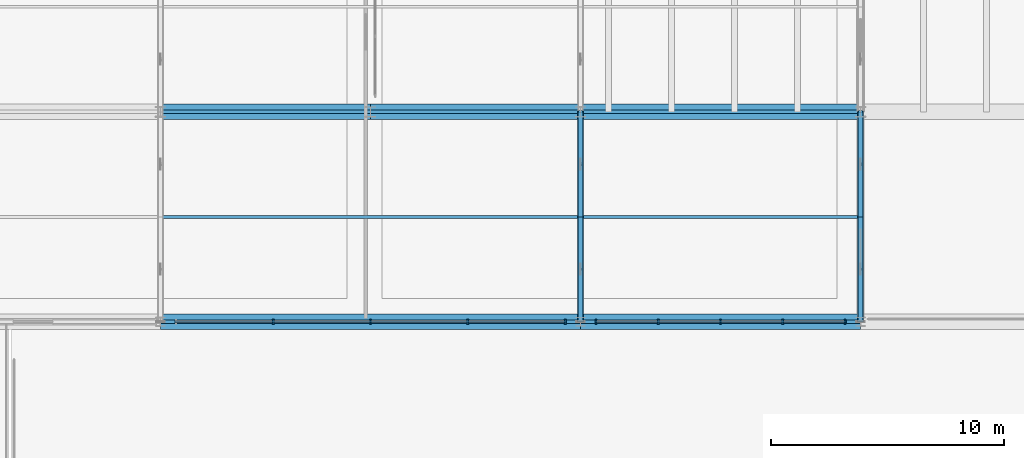
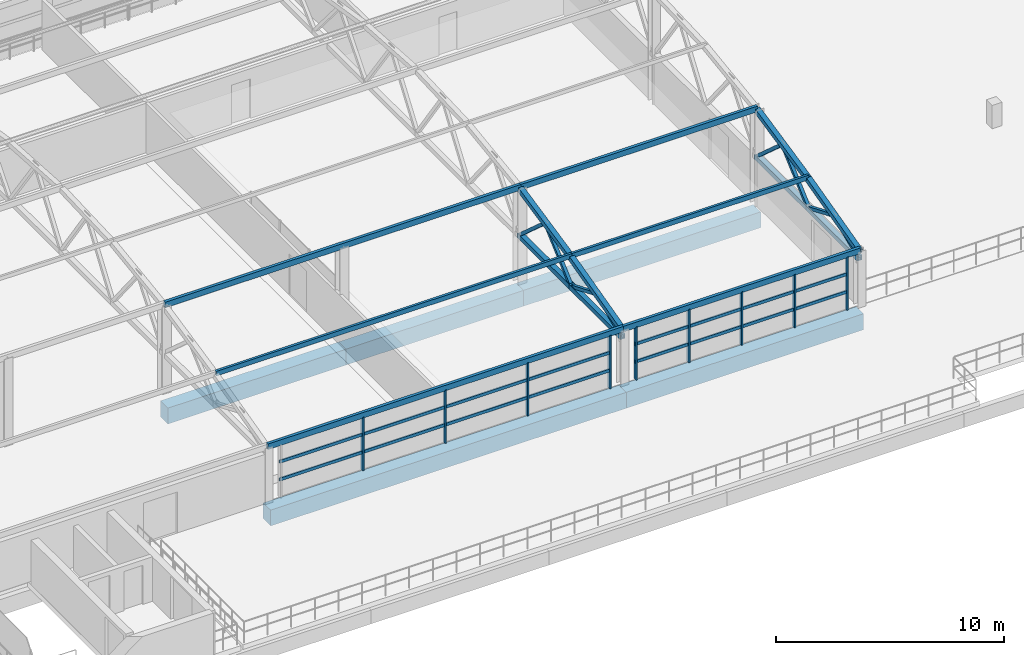
# One storey, part 19 of 50: 35 members, 5 beams, 2 elements without a shape of their own.
"""IFC4 building model written with IfcOpenShell, lengths in metres."""

import ifcopenshell
import ifcopenshell.guid

model = None  # the IFC model being written
_history = None  # IfcOwnerHistory: only IFC2X3 demands one
_inside = {}  # id of a spatial element -> (the spatial element, [elements in it])
_under = {}  # id of a project, library or spatial element -> (it, [spatial elements below it])
_declared = {}  # id of a project -> (the project, [libraries it declares])
_typed = {}  # id of a type object -> (the type object, [elements of that type])
_made_of = {}  # id of a material, layer set ... -> (it, [elements and type objects made of it])


def new_model(schema):
    """Start an empty IFC model of exactly this schema.

    Asked for "IFC4X3", IfcOpenShell would pick the latest addendum, in which some entities
    have other attributes; the version numbers below select the first issue.
    IFC2X3 requires an IfcOwnerHistory on every rooted entity: one is made here for all.
    """
    global model, _history
    if schema == "IFC4X3":
        model = ifcopenshell.file(schema_version=(4, 3, 0, 0))
    else:
        model = ifcopenshell.file(schema=schema)
    _inside.clear()
    _under.clear()
    _declared.clear()
    _typed.clear()
    _made_of.clear()
    _history = None
    if model.schema == "IFC2X3":
        org = make("IfcOrganization", Name="unknown")
        user = make(
            "IfcPersonAndOrganization",
            ThePerson=make("IfcPerson", FamilyName="unknown"),
            TheOrganization=org,
        )
        app = make(
            "IfcApplication",
            ApplicationDeveloper=org,
            Version="unknown",
            ApplicationFullName="unknown",
            ApplicationIdentifier="unknown",
        )
        _history = make(
            "IfcOwnerHistory",
            OwningUser=user,
            OwningApplication=app,
            ChangeAction="ADDED",
            CreationDate=0,
        )
    return model


def make(cls, **values):
    """One entity of the class cls with the attributes given. An attribute that is None is left unset."""
    return model.create_entity(
        cls, **{name: value for name, value in values.items() if value is not None}
    )


def rooted(cls, **values):
    """An entity with a GlobalId (a new one), such as an element, a storey or a relation."""
    return make(cls, GlobalId=ifcopenshell.guid.new(), OwnerHistory=_history, **values)


def si_unit(unit_type, name, prefix=None):
    """IfcSIUnit, for example si_unit("LENGTHUNIT", "METRE", prefix="MILLI")."""
    return make("IfcSIUnit", UnitType=unit_type, Prefix=prefix, Name=name)


def derived_unit(unit_type, elements):
    """IfcDerivedUnit: a product of units, each with its exponent."""
    return make(
        "IfcDerivedUnit",
        Elements=[
            make("IfcDerivedUnitElement", Unit=unit, Exponent=power)
            for unit, power in elements
        ],
        UnitType=unit_type,
    )


def assignment(units):
    """IfcUnitAssignment: the units of a project."""
    return None if units is None else make("IfcUnitAssignment", Units=units)


def point(xyz):
    """IfcCartesianPoint."""
    return None if xyz is None else make("IfcCartesianPoint", Coordinates=xyz)


def direction(xyz):
    """IfcDirection."""
    return None if xyz is None else make("IfcDirection", DirectionRatios=xyz)


def frame(location, z_axis=None, x_axis=None):
    """IfcAxis2Placement3D, a coordinate frame: its origin and axes. An axis left out is left unset."""
    return make(
        "IfcAxis2Placement3D",
        Location=point(location),
        Axis=direction(z_axis),
        RefDirection=direction(x_axis),
    )


def frame_2d(location, x_axis=None):
    """IfcAxis2Placement2D, a coordinate frame in the plane: its origin and x axis."""
    return make(
        "IfcAxis2Placement2D", Location=point(location), RefDirection=direction(x_axis)
    )


def origin():
    """The frame at (0, 0, 0) with its axes left unset."""
    return frame((0.0, 0.0, 0.0))


def origin_2d():
    """The frame at (0, 0) in the plane with its x axis left unset."""
    return frame_2d((0.0, 0.0))


def place(relative_to, where):
    """IfcLocalPlacement: puts the frame where relative to a parent placement (None: the world)."""
    return make(
        "IfcLocalPlacement", PlacementRelTo=relative_to, RelativePlacement=where
    )


def context(
    kind, dimensions, precision=None, world=None, true_north=None, identifier=None
):
    """IfcGeometricRepresentationContext, for example the 3D "Model" context."""
    return make(
        "IfcGeometricRepresentationContext",
        ContextIdentifier=identifier,
        ContextType=kind,
        CoordinateSpaceDimension=dimensions,
        Precision=precision,
        WorldCoordinateSystem=world,
        TrueNorth=true_north,
    )


def subcontext(parent, identifier, kind, view, scale=None):
    """IfcGeometricRepresentationSubContext, for example "Body" below "Model"."""
    return make(
        "IfcGeometricRepresentationSubContext",
        ContextIdentifier=identifier,
        ContextType=kind,
        ParentContext=parent,
        TargetScale=scale,
        TargetView=view,
    )


def project(units=None, contexts=None):
    """IfcProject with its units and contexts."""
    return rooted(
        "IfcProject",
        Name="project",
        RepresentationContexts=contexts,
        UnitsInContext=assignment(units),
    )


def spatial(cls, under=None, at=None, **own):
    """A site, building, storey or space (cls), placed at a placement, below another one or the project."""
    s = rooted(cls, ObjectPlacement=at, **own)
    if under is not None:
        _under.setdefault(under.id(), (under, []))[1].append(s)
    return s


def profile(cls, at=None, kind="AREA", **sizes):
    """A parametric profile (cls). Its sizes go by their IFC names, for example OverallWidth=200.0."""
    return make(cls, ProfileType=kind, Position=at, **sizes)


def rectangle(**sizes):
    """IfcRectangleProfileDef."""
    return profile("IfcRectangleProfileDef", **sizes)


def hollow_rectangle(**sizes):
    """IfcRectangleHollowProfileDef."""
    return profile("IfcRectangleHollowProfileDef", **sizes)


def extrude(swept, where, along, depth):
    """IfcExtrudedAreaSolid: the profile swept, set in the frame where, extruded along a direction by depth."""
    return make(
        "IfcExtrudedAreaSolid",
        SweptArea=swept,
        Position=where,
        ExtrudedDirection=direction(along),
        Depth=depth,
    )


def shape(context_of_items, identifier, shape_type, items):
    """IfcShapeRepresentation: the items that make up one representation, for example the "Body"."""
    return make(
        "IfcShapeRepresentation",
        ContextOfItems=context_of_items,
        RepresentationIdentifier=identifier,
        RepresentationType=shape_type,
        Items=items,
    )


def material(Name=None, Category=None):
    """IfcMaterial."""
    return make("IfcMaterial", Name=Name, Category=Category)


def layer(
    of_material, thickness, ventilated=None, Name=None, Category=None, Priority=None
):
    """IfcMaterialLayer: one layer of a wall or slab, of a material (None: an air gap)."""
    return make(
        "IfcMaterialLayer",
        Material=of_material,
        LayerThickness=thickness,
        IsVentilated=ventilated,
        Name=Name,
        Category=Category,
        Priority=Priority,
    )


def layer_set(layers, Name=None):
    """IfcMaterialLayerSet."""
    return make("IfcMaterialLayerSet", MaterialLayers=layers, LayerSetName=Name)


def material_profile(
    of_material, cross_section, Name=None, Category=None, Priority=None
):
    """IfcMaterialProfile: a cross section and its material."""
    return make(
        "IfcMaterialProfile",
        Name=Name,
        Material=of_material,
        Profile=cross_section,
        Priority=Priority,
        Category=Category,
    )


def profile_set(profiles, Name=None, composite=None):
    """IfcMaterialProfileSet."""
    return make(
        "IfcMaterialProfileSet",
        Name=Name,
        MaterialProfiles=profiles,
        CompositeProfile=composite,
    )


def made_of(thing, what):
    """Note that an element or type object is made of a material, layer set ...; save() writes the relation."""
    if what is not None:
        _made_of.setdefault(what.id(), (what, []))[1].append(thing)
    return thing


def type_object(cls, material=None, **own):
    """A type object (cls), such as IfcWallType, which elements share."""
    return made_of(rooted(cls, **own), material)


def element(
    cls,
    number,
    at=None,
    inside=None,
    cuts=None,
    type_object=None,
    material=None,
    context=None,
    identifier="Body",
    shape_type=None,
    held_by="IfcProductDefinitionShape",
    body=None,
    shapes=None,
    **own,
):
    """One element of the class cls, such as IfcWall. Its Tag is "e" and its number.

    at: its placement. inside: the storey or other place that contains it. cuts: it is an
    opening in that element (IfcRelVoidsElement). A single representation is given by context,
    identifier, shape_type and body (its items); several are given by shapes. held_by: the class
    of the entity that holds the representations. save() writes the other relations.
    """
    e = rooted(cls, Tag="e%d" % number, ObjectPlacement=at, **own)
    if body is not None:
        shapes = [shape(context, identifier, shape_type, body)]
    if shapes is not None:
        e.Representation = make(held_by, Representations=shapes)
    if inside is not None:
        _inside.setdefault(inside.id(), (inside, []))[1].append(e)
    if cuts is not None:
        rooted(
            "IfcRelVoidsElement", RelatingBuildingElement=cuts, RelatedOpeningElement=e
        )
    if type_object is not None:
        _typed.setdefault(type_object.id(), (type_object, []))[1].append(e)
    return made_of(e, material)


def aggregate(whole, parts):
    """IfcRelAggregates: a whole, such as a stair, and the parts it consists of."""
    return rooted("IfcRelAggregates", RelatingObject=whole, RelatedObjects=parts)


def save(model, path):
    """Write the relations noted so far, then the file.

    IfcRelAggregates (storeys below a building ...), IfcRelContainedInSpatialStructure (elements
    in a storey), IfcRelDefinesByType, IfcRelAssociatesMaterial and IfcRelDeclares: one each for
    every whole, place, type object, material and project.
    """
    for whole, parts in _under.values():
        aggregate(whole, parts)
    for where, things in _inside.values():
        rooted(
            "IfcRelContainedInSpatialStructure",
            RelatedElements=things,
            RelatingStructure=where,
        )
    for kind, things in _typed.values():
        rooted("IfcRelDefinesByType", RelatedObjects=things, RelatingType=kind)
    for what, things in _made_of.values():
        rooted("IfcRelAssociatesMaterial", RelatedObjects=things, RelatingMaterial=what)
    for by, libraries in _declared.values():
        rooted("IfcRelDeclares", RelatingContext=by, RelatedDefinitions=libraries)
    model.write(path)


model = new_model("IFC4")

# Units and contexts
model_context = context("Model", 3, precision=1e-05, world=origin(), true_north=direction((0.0, 1.0)))
body_context = subcontext(model_context, "Body", "Model", "MODEL_VIEW")
ifc_project = project(units=[si_unit("LENGTHUNIT", "METRE"), si_unit("AREAUNIT", "SQUARE_METRE"), si_unit("VOLUMEUNIT", "CUBIC_METRE"), si_unit("PLANEANGLEUNIT", "RADIAN"), si_unit("MASSUNIT", "GRAM", prefix="KILO"), si_unit("THERMODYNAMICTEMPERATUREUNIT", "KELVIN"), derived_unit("THERMALTRANSMITTANCEUNIT", [(si_unit("POWERUNIT", "WATT"), 1), (si_unit("AREAUNIT", "SQUARE_METRE"), -1), (si_unit("THERMODYNAMICTEMPERATUREUNIT", "KELVIN"), -1)])], contexts=[model_context])

# Site, building, storey
site_placement = place(None, origin())
site = spatial("IfcSite", under=ifc_project, at=site_placement, CompositionType="ELEMENT")
building_placement = place(site_placement, origin())
building = spatial("IfcBuilding", under=site, at=building_placement, Name="Haiyu Intermodal Mobility Hub", CompositionType="ELEMENT")
storey_placement = place(building_placement, frame((0.0, 0.0, 25.10009765625)))
storey = spatial("IfcBuildingStorey", under=building, at=storey_placement, Name="L06", CompositionType="ELEMENT", Elevation=25.10009765625)

# Beams
ifc_material_1 = material(Name="Precast concrete C50", Category="concrete")
ifc_material_profile_1 = material_profile(ifc_material_1, rectangle(XDim=0.64990234375, YDim=0.85009765625, at=origin_2d()), Name="PC650x850")
ifc_profile_set_1 = profile_set([ifc_material_profile_1], Name="Precast concrete C50")
beam_type = type_object("IfcBeamType", Name="BM-IT03", PredefinedType="T_BEAM", material=ifc_profile_set_1)
beam_1_placement = place(storey_placement, frame((78.0, 113.0, -0.705078125), z_axis=(1.0, 0.0, 0.0), x_axis=(0.0, 1.0, 0.0)))
element("IfcBeam", 1, at=beam_1_placement, inside=storey, type_object=beam_type, Name="BM-V4G-L06-016", PredefinedType="T_BEAM", context=body_context, shape_type="SweptSolid", body=[
    extrude(rectangle(XDim=0.64990234375, YDim=0.85009765625, at=origin_2d()), origin(), (0.0, 0.0, 1.0), 18.0),
])
beam_2_placement = place(storey_placement, frame((96.0, 113.0, -0.705078125), z_axis=(1.0, 0.0, 0.0), x_axis=(0.0, 1.0, 0.0)))
element("IfcBeam", 2, at=beam_2_placement, inside=storey, type_object=beam_type, Name="BM-V4G-L06-017", PredefinedType="T_BEAM", context=body_context, shape_type="SweptSolid", body=[
    extrude(rectangle(XDim=0.64990234375, YDim=0.85009765625, at=origin_2d()), origin(), (0.0, 0.0, 1.0), 12.0),
])
for number, where, z_axis, x_axis, name in (
    (3, (78.0, 122.0, -0.705078125), (1.0, 0.0, 0.0), (0.0, 1.0, 0.0), "BM-V4G-L06-026"),
    (4, (87.0, 122.0, -0.705078125), (1.0, 0.0, 0.0), (0.0, 1.0, 0.0), "BM-V4G-L06-027"),
):
    element("IfcBeam", number, at=place(storey_placement, frame(where, z_axis=z_axis, x_axis=x_axis)), inside=storey, type_object=beam_type, Name=name, PredefinedType="T_BEAM", context=body_context, shape_type="SweptSolid", body=[
        extrude(rectangle(XDim=0.64990234375, YDim=0.85009765625, at=origin_2d()), origin(), (0.0, 0.0, 1.0), 9.0),
    ])
beam_3_placement = place(storey_placement, frame((96.0, 122.0, -0.705078125), z_axis=(1.0, 0.0, 0.0), x_axis=(0.0, 1.0, 0.0)))
element("IfcBeam", 5, at=beam_3_placement, inside=storey, type_object=beam_type, Name="BM-V4G-L06-028", PredefinedType="T_BEAM", context=body_context, shape_type="SweptSolid", body=[
    extrude(rectangle(XDim=0.64990234375, YDim=0.85009765625, at=origin_2d()), origin(), (0.0, 0.0, 1.0), 12.0),
])

# Curtain wall, members
ifc_material_2 = material(Name="Low-e laminated insulating glass", Category="glass")
ifc_layer = layer(ifc_material_2, 0.22998046875)
ifc_layer_set = layer_set([ifc_layer], Name="Low-e laminated insulating glass")
curtain_wall_type = type_object("IfcCurtainWallType", Name="CW-CW05", PredefinedType="NOTDEFINED", material=ifc_layer_set)
curtain_wall_1_placement = place(storey_placement, origin())
curtain_wall_1 = element("IfcCurtainWall", 6, at=curtain_wall_1_placement, inside=storey, type_object=curtain_wall_type, Name="Curtain Wall CW-V3S-160", PredefinedType="NOTDEFINED")
ifc_material_3 = material(Name="Anodised aluminium 6063-T6", Category="aluminium")
ifc_material_profile_2 = material_profile(ifc_material_3, rectangle(XDim=0.074951171875, YDim=0.199951171875, at=origin_2d()), Name="ALU75x200")
ifc_profile_set_2 = profile_set([ifc_material_profile_2], Name="Anodised aluminium 6063-T6")
member_type_1 = type_object("IfcMemberType", Name="CWM-ML01", PredefinedType="MULLION", material=ifc_profile_set_2)
member_1_placement = place(storey_placement, frame((82.830078125, 113.0, 0.0), z_axis=(0.0, 0.0, 1.0), x_axis=(1.0, 0.0, 0.0)))
member_1 = element("IfcMember", 7, at=member_1_placement, type_object=member_type_1, Name="CW-V3S-160-ML02", PredefinedType="MULLION", context=body_context, shape_type="SweptSolid", body=[
    extrude(rectangle(XDim=0.074951171875, YDim=0.199951171875, at=origin_2d()), origin(), (0.0, 0.0, 1.0), 2.849853515625),
])
member_2_placement = place(storey_placement, frame((87.0, 113.0, 0.0), z_axis=(0.0, 0.0, 1.0), x_axis=(1.0, 0.0, 0.0)))
member_2 = element("IfcMember", 8, at=member_2_placement, type_object=member_type_1, Name="CW-V3S-160-ML03", PredefinedType="MULLION", context=body_context, shape_type="SweptSolid", body=[
    extrude(rectangle(XDim=0.074951171875, YDim=0.199951171875, at=origin_2d()), origin(), (0.0, 0.0, 1.0), 2.849853515625),
])
member_3_placement = place(storey_placement, frame((91.169921875, 113.0, 0.0), z_axis=(0.0, 0.0, 1.0), x_axis=(1.0, 0.0, 0.0)))
member_3 = element("IfcMember", 9, at=member_3_placement, type_object=member_type_1, Name="CW-V3S-160-ML04", PredefinedType="MULLION", context=body_context, shape_type="SweptSolid", body=[
    extrude(rectangle(XDim=0.074951171875, YDim=0.199951171875, at=origin_2d()), origin(), (0.0, 0.0, 1.0), 2.849853515625),
])
member_4_placement = place(storey_placement, frame((95.340087890625, 113.0, 0.0), z_axis=(0.0, 0.0, 1.0), x_axis=(1.0, 0.0, 0.0)))
member_4 = element("IfcMember", 10, at=member_4_placement, type_object=member_type_1, Name="CW-V3S-160-ML05", PredefinedType="MULLION", context=body_context, shape_type="SweptSolid", body=[
    extrude(rectangle(XDim=0.074951171875, YDim=0.199951171875, at=origin_2d()), origin(), (0.0, 0.0, 1.0), 2.849853515625),
])

curtain_wall_2_placement = place(storey_placement, origin())
curtain_wall_2 = element("IfcCurtainWall", 11, at=curtain_wall_2_placement, inside=storey, type_object=curtain_wall_type, Name="Curtain Wall CW-V3S-162", PredefinedType="NOTDEFINED")
member_5_placement = place(storey_placement, frame((96.659912109375, 113.0, 0.0), z_axis=(0.0, 0.0, 1.0), x_axis=(1.0, 0.0, 0.0)))
member_5 = element("IfcMember", 12, at=member_5_placement, type_object=member_type_1, Name="CW-V3S-162-ML01", PredefinedType="MULLION", context=body_context, shape_type="SweptSolid", body=[
    extrude(rectangle(XDim=0.074951171875, YDim=0.199951171875, at=origin_2d()), origin(), (0.0, 0.0, 1.0), 2.849853515625),
])
member_6_placement = place(storey_placement, frame((99.330078125, 113.0, 0.0), z_axis=(0.0, 0.0, 1.0), x_axis=(1.0, 0.0, 0.0)))
member_6 = element("IfcMember", 13, at=member_6_placement, type_object=member_type_1, Name="CW-V3S-162-ML02", PredefinedType="MULLION", context=body_context, shape_type="SweptSolid", body=[
    extrude(rectangle(XDim=0.074951171875, YDim=0.199951171875, at=origin_2d()), origin(), (0.0, 0.0, 1.0), 2.849853515625),
])
member_7_placement = place(storey_placement, frame((102.0, 113.0, 0.0), z_axis=(0.0, 0.0, 1.0), x_axis=(1.0, 0.0, 0.0)))
member_7 = element("IfcMember", 14, at=member_7_placement, type_object=member_type_1, Name="CW-V3S-162-ML03", PredefinedType="MULLION", context=body_context, shape_type="SweptSolid", body=[
    extrude(rectangle(XDim=0.074951171875, YDim=0.199951171875, at=origin_2d()), origin(), (0.0, 0.0, 1.0), 2.849853515625),
])
member_8_placement = place(storey_placement, frame((104.669921875, 113.0, 0.0), z_axis=(0.0, 0.0, 1.0), x_axis=(1.0, 0.0, 0.0)))
member_8 = element("IfcMember", 15, at=member_8_placement, type_object=member_type_1, Name="CW-V3S-162-ML04", PredefinedType="MULLION", context=body_context, shape_type="SweptSolid", body=[
    extrude(rectangle(XDim=0.074951171875, YDim=0.199951171875, at=origin_2d()), origin(), (0.0, 0.0, 1.0), 2.849853515625),
])
member_9_placement = place(storey_placement, frame((107.340087890625, 113.0, 0.0), z_axis=(0.0, 0.0, 1.0), x_axis=(1.0, 0.0, 0.0)))
member_9 = element("IfcMember", 16, at=member_9_placement, type_object=member_type_1, Name="CW-V3S-162-ML05", PredefinedType="MULLION", context=body_context, shape_type="SweptSolid", body=[
    extrude(rectangle(XDim=0.074951171875, YDim=0.199951171875, at=origin_2d()), origin(), (0.0, 0.0, 1.0), 2.849853515625),
])

# Member
ifc_material_profile_3 = material_profile(ifc_material_3, rectangle(XDim=0.074951171875, YDim=0.159912109375, at=origin_2d()), Name="ALU75x160")
ifc_profile_set_3 = profile_set([ifc_material_profile_3], Name="Anodised aluminium 6063-T6")
member_type_2 = type_object("IfcMemberType", Name="CWM-TR01", PredefinedType="USERDEFINED", material=ifc_profile_set_3)
member_10_placement = place(storey_placement, frame((78.6201171875, 113.0, 0.949951171875), z_axis=(1.0, 0.0, 0.0), x_axis=(0.0, 1.0, 0.0)))
member_10 = element("IfcMember", 17, at=member_10_placement, type_object=member_type_2, Name="CW-V3S-160-TR01", ObjectType="TRANSOM", PredefinedType="USERDEFINED", context=body_context, shape_type="SweptSolid", body=[
    extrude(rectangle(XDim=0.074951171875, YDim=0.159912109375, at=origin_2d()), origin(), (0.0, 0.0, 1.0), 16.759765625),
])

member_11_placement = place(storey_placement, frame((78.6201171875, 113.0, 1.89990234375), z_axis=(1.0, 0.0, 0.0), x_axis=(0.0, 1.0, 0.0)))
member_11 = element("IfcMember", 18, at=member_11_placement, type_object=member_type_2, Name="CW-V3S-160-TR02", ObjectType="TRANSOM", PredefinedType="USERDEFINED", context=body_context, shape_type="SweptSolid", body=[
    extrude(rectangle(XDim=0.074951171875, YDim=0.159912109375, at=origin_2d()), origin(), (0.0, 0.0, 1.0), 16.759765625),
])

aggregate(curtain_wall_1, [member_1, member_2, member_3, member_4, member_10, member_11])

member_12_placement = place(storey_placement, frame((96.6201171875, 113.0, 0.949951171875), z_axis=(1.0, 0.0, 0.0), x_axis=(0.0, 1.0, 0.0)))
member_12 = element("IfcMember", 19, at=member_12_placement, type_object=member_type_2, Name="CW-V3S-162-TR01", ObjectType="TRANSOM", PredefinedType="USERDEFINED", context=body_context, shape_type="SweptSolid", body=[
    extrude(rectangle(XDim=0.074951171875, YDim=0.159912109375, at=origin_2d()), origin(), (0.0, 0.0, 1.0), 10.759765625),
])

member_13_placement = place(storey_placement, frame((96.6201171875, 113.0, 1.89990234375), z_axis=(1.0, 0.0, 0.0), x_axis=(0.0, 1.0, 0.0)))
member_13 = element("IfcMember", 20, at=member_13_placement, type_object=member_type_2, Name="CW-V3S-162-TR02", ObjectType="TRANSOM", PredefinedType="USERDEFINED", context=body_context, shape_type="SweptSolid", body=[
    extrude(rectangle(XDim=0.074951171875, YDim=0.159912109375, at=origin_2d()), origin(), (0.0, 0.0, 1.0), 10.759765625),
])

aggregate(curtain_wall_2, [member_5, member_6, member_7, member_8, member_9, member_12, member_13])

# Members
ifc_material_4 = material(Name="Steel Q355C", Category="steel")
ifc_material_profile_4 = material_profile(ifc_material_4, hollow_rectangle(XDim=0.25, YDim=0.25, WallThickness=0.010009765625, at=origin_2d()), Name="SHS250x250x10")
ifc_profile_set_4 = profile_set([ifc_material_profile_4], Name="Steel Q355C")
member_type_3 = type_object("IfcMemberType", Name="MEM-CH01", PredefinedType="CHORD", material=ifc_profile_set_4)
member_14_placement = place(storey_placement, frame((96.0, 113.0, 2.85986328125), z_axis=(0.0, 0.968399815357, 0.249402882134), x_axis=(-1.0, 0.0, 0.0)))
element("IfcMember", 21, at=member_14_placement, inside=storey, type_object=member_type_3, Name="MEM-PAV-TC-033", PredefinedType="CHORD", context=body_context, shape_type="SweptSolid", body=[
    extrude(hollow_rectangle(XDim=0.25, YDim=0.25, WallThickness=0.010009765625, at=origin_2d()), origin(), (0.0, 0.0, 1.0), 4.646728515625),
])
member_15_placement = place(storey_placement, frame((96.0, 113.0, 2.5), z_axis=(0.0, 1.0, 0.0), x_axis=(-1.0, 0.0, 0.0)))
element("IfcMember", 22, at=member_15_placement, inside=storey, type_object=member_type_3, Name="MEM-PAV-BC-033", PredefinedType="CHORD", context=body_context, shape_type="SweptSolid", body=[
    extrude(hollow_rectangle(XDim=0.25, YDim=0.25, WallThickness=0.010009765625, at=origin_2d()), origin(), (0.0, 0.0, 1.0), 4.5),
])
member_16_placement = place(storey_placement, frame((96.0, 117.5, 4.018798828125), z_axis=(0.0, 0.97740646782, 0.211368390882), x_axis=(-1.0, 0.0, 0.0)))
element("IfcMember", 23, at=member_16_placement, inside=storey, type_object=member_type_3, Name="MEM-PAV-TC-034", PredefinedType="CHORD", context=body_context, shape_type="SweptSolid", body=[
    extrude(hollow_rectangle(XDim=0.25, YDim=0.25, WallThickness=0.010009765625, at=origin_2d()), origin(), (0.0, 0.0, 1.0), 4.60400390625),
])
member_17_placement = place(storey_placement, frame((96.0, 117.5, 2.5), z_axis=(0.0, 1.0, 0.0), x_axis=(-1.0, 0.0, 0.0)))
element("IfcMember", 24, at=member_17_placement, inside=storey, type_object=member_type_3, Name="MEM-PAV-BC-034", PredefinedType="CHORD", context=body_context, shape_type="SweptSolid", body=[
    extrude(hollow_rectangle(XDim=0.25, YDim=0.25, WallThickness=0.010009765625, at=origin_2d()), origin(), (0.0, 0.0, 1.0), 4.5),
])
member_18_placement = place(storey_placement, frame((108.0, 113.0, 2.85986328125), z_axis=(0.0, 0.968399815357, 0.249402882134), x_axis=(-1.0, 0.0, 0.0)))
element("IfcMember", 25, at=member_18_placement, inside=storey, type_object=member_type_3, Name="MEM-PAV-TC-041", PredefinedType="CHORD", context=body_context, shape_type="SweptSolid", body=[
    extrude(hollow_rectangle(XDim=0.25, YDim=0.25, WallThickness=0.010009765625, at=origin_2d()), origin(), (0.0, 0.0, 1.0), 4.646728515625),
])
member_19_placement = place(storey_placement, frame((108.0, 113.0, 2.5), z_axis=(0.0, 1.0, 0.0), x_axis=(-1.0, 0.0, 0.0)))
element("IfcMember", 26, at=member_19_placement, inside=storey, type_object=member_type_3, Name="MEM-PAV-BC-041", PredefinedType="CHORD", context=body_context, shape_type="SweptSolid", body=[
    extrude(hollow_rectangle(XDim=0.25, YDim=0.25, WallThickness=0.010009765625, at=origin_2d()), origin(), (0.0, 0.0, 1.0), 4.5),
])
member_20_placement = place(storey_placement, frame((108.0, 117.5, 4.018798828125), z_axis=(0.0, 0.97740646782, 0.211368390882), x_axis=(-1.0, 0.0, 0.0)))
element("IfcMember", 27, at=member_20_placement, inside=storey, type_object=member_type_3, Name="MEM-PAV-TC-042", PredefinedType="CHORD", context=body_context, shape_type="SweptSolid", body=[
    extrude(hollow_rectangle(XDim=0.25, YDim=0.25, WallThickness=0.010009765625, at=origin_2d()), origin(), (0.0, 0.0, 1.0), 4.60400390625),
])
member_21_placement = place(storey_placement, frame((108.0, 117.5, 2.5), z_axis=(0.0, 1.0, 0.0), x_axis=(-1.0, 0.0, 0.0)))
element("IfcMember", 28, at=member_21_placement, inside=storey, type_object=member_type_3, Name="MEM-PAV-BC-042", PredefinedType="CHORD", context=body_context, shape_type="SweptSolid", body=[
    extrude(hollow_rectangle(XDim=0.25, YDim=0.25, WallThickness=0.010009765625, at=origin_2d()), origin(), (0.0, 0.0, 1.0), 4.5),
])
ifc_material_profile_5 = material_profile(ifc_material_4, hollow_rectangle(XDim=0.159912109375, YDim=0.159912109375, WallThickness=0.006103515625, at=origin_2d()), Name="SHS160x160x6")
ifc_profile_set_5 = profile_set([ifc_material_profile_5], Name="Steel Q355C")
member_type_4 = type_object("IfcMemberType", Name="MEM-CH03", PredefinedType="CHORD", material=ifc_profile_set_5)
for number, where, z_axis, x_axis, name in (
    (29, (96.0, 113.0, 2.5), (0.0, 0.922721067399, 0.385468327852), (-1.0, 0.0, 0.0), "MEM-PAV-D1-033"),
    (30, (96.0, 115.25, 3.43994140625), (0.0, 0.922721067399, -0.385468327852), (-1.0, 0.0, 0.0), "MEM-PAV-D2-033"),
):
    element("IfcMember", number, at=place(storey_placement, frame(where, z_axis=z_axis, x_axis=x_axis)), inside=storey, type_object=member_type_4, Name=name, PredefinedType="CHORD", context=body_context, shape_type="SweptSolid", body=[
        extrude(hollow_rectangle(XDim=0.159912109375, YDim=0.159912109375, WallThickness=0.006103515625, at=origin_2d()), origin(), (0.0, 0.0, 1.0), 2.4384765625),
    ])
for number, where, z_axis, x_axis, name in (
    (31, (96.0, 117.5, 2.5), (0.0, 0.746443301458, 0.665449019616), (-1.0, 0.0, 0.0), "MEM-PAV-D1-034"),
    (32, (96.0, 119.75, 4.505859375), (0.0, 0.746443301458, -0.665449019616), (-1.0, 0.0, 0.0), "MEM-PAV-D2-034"),
):
    element("IfcMember", number, at=place(storey_placement, frame(where, z_axis=z_axis, x_axis=x_axis)), inside=storey, type_object=member_type_4, Name=name, PredefinedType="CHORD", context=body_context, shape_type="SweptSolid", body=[
        extrude(hollow_rectangle(XDim=0.159912109375, YDim=0.159912109375, WallThickness=0.006103515625, at=origin_2d()), origin(), (0.0, 0.0, 1.0), 3.014404296875),
    ])
for number, where, z_axis, x_axis, name in (
    (33, (108.0, 113.0, 2.5), (0.0, 0.922721067399, 0.385468327852), (-1.0, 0.0, 0.0), "MEM-PAV-D1-041"),
    (34, (108.0, 115.25, 3.43994140625), (0.0, 0.922721067399, -0.385468327852), (-1.0, 0.0, 0.0), "MEM-PAV-D2-041"),
):
    element("IfcMember", number, at=place(storey_placement, frame(where, z_axis=z_axis, x_axis=x_axis)), inside=storey, type_object=member_type_4, Name=name, PredefinedType="CHORD", context=body_context, shape_type="SweptSolid", body=[
        extrude(hollow_rectangle(XDim=0.159912109375, YDim=0.159912109375, WallThickness=0.006103515625, at=origin_2d()), origin(), (0.0, 0.0, 1.0), 2.4384765625),
    ])
for number, where, z_axis, x_axis, name in (
    (35, (108.0, 117.5, 2.5), (0.0, 0.746443301458, 0.665449019616), (-1.0, 0.0, 0.0), "MEM-PAV-D1-042"),
    (36, (108.0, 119.75, 4.505859375), (0.0, 0.746443301458, -0.665449019616), (-1.0, 0.0, 0.0), "MEM-PAV-D2-042"),
):
    element("IfcMember", number, at=place(storey_placement, frame(where, z_axis=z_axis, x_axis=x_axis)), inside=storey, type_object=member_type_4, Name=name, PredefinedType="CHORD", context=body_context, shape_type="SweptSolid", body=[
        extrude(hollow_rectangle(XDim=0.159912109375, YDim=0.159912109375, WallThickness=0.006103515625, at=origin_2d()), origin(), (0.0, 0.0, 1.0), 3.014404296875),
    ])
ifc_material_profile_6 = material_profile(ifc_material_4, hollow_rectangle(XDim=0.14990234375, YDim=0.300048828125, WallThickness=0.010009765625, at=origin_2d()), Name="RHS300x150x10")
ifc_profile_set_6 = profile_set([ifc_material_profile_6], Name="Steel Q355C")
member_type_5 = type_object("IfcMemberType", Name="MEM-PR01", PredefinedType="PURLIN", material=ifc_profile_set_6)
member_22_placement = place(storey_placement, frame((78.0, 113.0, 2.947998046875), z_axis=(1.0, 0.0, 0.0), x_axis=(0.0, 1.0, 0.0)))
element("IfcMember", 37, at=member_22_placement, inside=storey, type_object=member_type_5, Name="MEM-PAV-PR-004", PredefinedType="PURLIN", context=body_context, shape_type="SweptSolid", body=[
    extrude(hollow_rectangle(XDim=0.14990234375, YDim=0.300048828125, WallThickness=0.010009765625, at=origin_2d()), origin(), (0.0, 0.0, 1.0), 18.0),
])
member_23_placement = place(storey_placement, frame((96.0, 113.0, 2.947998046875), z_axis=(1.0, 0.0, 0.0), x_axis=(0.0, 1.0, 0.0)))
element("IfcMember", 38, at=member_23_placement, inside=storey, type_object=member_type_5, Name="MEM-PAV-PR-005", PredefinedType="PURLIN", context=body_context, shape_type="SweptSolid", body=[
    extrude(hollow_rectangle(XDim=0.14990234375, YDim=0.300048828125, WallThickness=0.010009765625, at=origin_2d()), origin(), (0.0, 0.0, 1.0), 12.0),
])
member_24_placement = place(storey_placement, frame((78.0, 122.0, 5.079833984375), z_axis=(1.0, 0.0, 0.0), x_axis=(0.0, 1.0, 0.0)))
element("IfcMember", 39, at=member_24_placement, inside=storey, type_object=member_type_5, Name="MEM-PAV-PR-009", PredefinedType="PURLIN", context=body_context, shape_type="SweptSolid", body=[
    extrude(hollow_rectangle(XDim=0.14990234375, YDim=0.300048828125, WallThickness=0.010009765625, at=origin_2d()), origin(), (0.0, 0.0, 1.0), 18.0),
])
member_25_placement = place(storey_placement, frame((96.0, 122.0, 5.079833984375), z_axis=(1.0, 0.0, 0.0), x_axis=(0.0, 1.0, 0.0)))
element("IfcMember", 40, at=member_25_placement, inside=storey, type_object=member_type_5, Name="MEM-PAV-PR-010", PredefinedType="PURLIN", context=body_context, shape_type="SweptSolid", body=[
    extrude(hollow_rectangle(XDim=0.14990234375, YDim=0.300048828125, WallThickness=0.010009765625, at=origin_2d()), origin(), (0.0, 0.0, 1.0), 12.0),
])
ifc_material_profile_7 = material_profile(ifc_material_4, hollow_rectangle(XDim=0.125, YDim=0.25, WallThickness=0.008056640625, at=origin_2d()), Name="RHS250x125x8")
ifc_profile_set_7 = profile_set([ifc_material_profile_7], Name="Steel Q355C")
member_type_6 = type_object("IfcMemberType", Name="MEM-PR02-INT", PredefinedType="PURLIN", material=ifc_profile_set_7)
member_26_placement = place(storey_placement, frame((78.0, 117.5, 4.1298828125), z_axis=(1.0, 0.0, 0.0), x_axis=(0.0, 1.0, 0.0)))
element("IfcMember", 41, at=member_26_placement, inside=storey, type_object=member_type_6, Name="MEM-PAV-SPR-004", PredefinedType="PURLIN", context=body_context, shape_type="SweptSolid", body=[
    extrude(hollow_rectangle(XDim=0.125, YDim=0.25, WallThickness=0.008056640625, at=origin_2d()), origin(), (0.0, 0.0, 1.0), 18.0),
])
member_27_placement = place(storey_placement, frame((96.0, 117.5, 4.1298828125), z_axis=(1.0, 0.0, 0.0), x_axis=(0.0, 1.0, 0.0)))
element("IfcMember", 42, at=member_27_placement, inside=storey, type_object=member_type_6, Name="MEM-PAV-SPR-005", PredefinedType="PURLIN", context=body_context, shape_type="SweptSolid", body=[
    extrude(hollow_rectangle(XDim=0.125, YDim=0.25, WallThickness=0.008056640625, at=origin_2d()), origin(), (0.0, 0.0, 1.0), 12.0),
])

save(model, "model.ifc")
